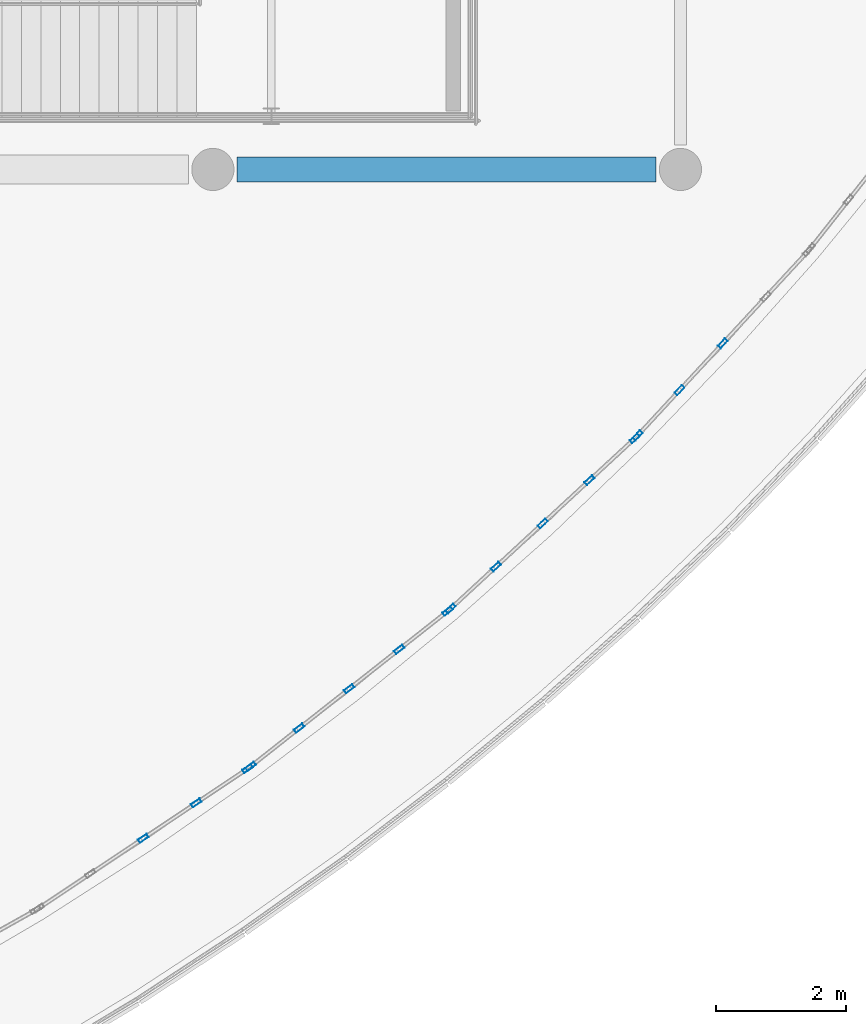
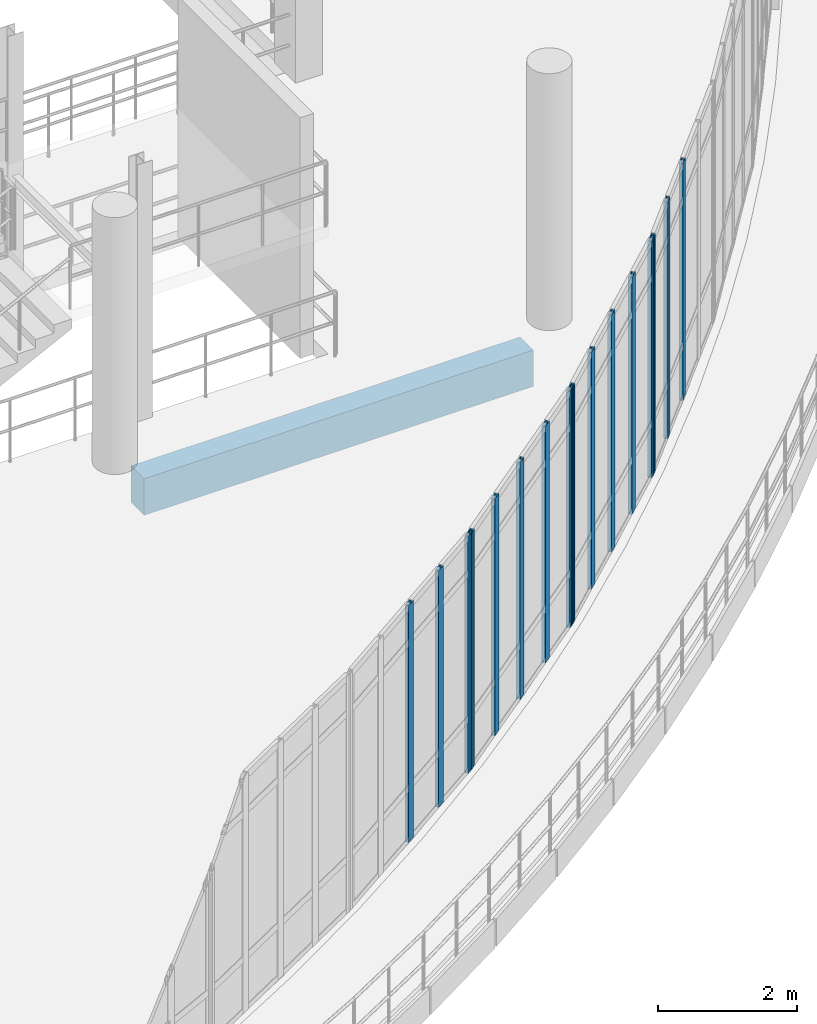
# One storey, part 31 of 134: 16 members, 1 beam, 4 elements without a shape of their own.
"""IFC4 building model written with IfcOpenShell, lengths in metres."""

from ifc_helpers import new_model, si_unit, direction, frame, origin, origin_2d, place, context, subcontext, project, spatial, rectangle, hollow_rectangle, extrude, material, material_profile, profile_set, type_object, element, aggregate, save


model = new_model("IFC4")

# Units and contexts
model_context = context("Model", 3, precision=1e-05, world=origin(), true_north=direction((0.0, 1.0)))
body_context = subcontext(model_context, "Body", "Model", "MODEL_VIEW")
ifc_project = project(units=[si_unit("LENGTHUNIT", "METRE"), si_unit("AREAUNIT", "SQUARE_METRE"), si_unit("VOLUMEUNIT", "CUBIC_METRE"), si_unit("PLANEANGLEUNIT", "RADIAN"), si_unit("MASSUNIT", "GRAM", prefix="KILO")], contexts=[model_context])

# Site, building, storey
site_placement = place(None, origin())
site = spatial("IfcSite", under=ifc_project, at=site_placement, CompositionType="ELEMENT")
building_placement = place(site_placement, origin())
building = spatial("IfcBuilding", under=site, at=building_placement, Name="Kalluvel Institute of Natural Sciences", CompositionType="ELEMENT")
storey_placement = place(building_placement, frame((0.0, 0.0, 5.39990234375)))
storey = spatial("IfcBuildingStorey", under=building, at=storey_placement, Name="L01", CompositionType="ELEMENT", Elevation=5.39990234375)

# Beam
ifc_material_1 = material(Name="Concrete M40", Category="concrete")
ifc_material_profile_1 = material_profile(ifc_material_1, rectangle(XDim=0.3798828125, YDim=0.639892578125, at=origin_2d()), Name="RCB 380x640")
ifc_profile_set_1 = profile_set([ifc_material_profile_1], Name="Concrete M40")
beam_type = type_object("IfcBeamType", Name="BM-RC380x640", PredefinedType="BEAM", material=ifc_profile_set_1)
beam_placement = place(storey_placement, frame((64.77490234375, 71.60009765625, -0.639892578125), z_axis=(1.0, 0.0, 0.0), x_axis=(0.0, 1.0, 0.0)))
element("IfcBeam", 1, at=beam_placement, inside=storey, type_object=beam_type, Name="L01 girder GIR-L01-EW-X644-Y716", PredefinedType="BEAM", context=body_context, shape_type="SweptSolid", body=[
    extrude(rectangle(XDim=0.3798828125, YDim=0.639892578125, at=origin_2d()), origin(), (0.0, 0.0, 1.0), 6.4501953125),
])

# Curtain wall, members
ifc_material_2 = material(Name="Aluminium AW-6063 T6", Category="aluminium")
curtain_wall_type = type_object("IfcCurtainWallType", Name="CW-ATR-ARC", PredefinedType="USERDEFINED", material=ifc_material_2)
curtain_wall_1_placement = place(storey_placement, origin())
curtain_wall_1 = element("IfcCurtainWall", 2, at=curtain_wall_1_placement, inside=storey, type_object=curtain_wall_type, Name="L01 Gothic lancet curtain wall CWA-L01-X617-Y602", ObjectType="UNITISED LANCET FACADE", PredefinedType="USERDEFINED")
ifc_material_profile_2 = material_profile(ifc_material_2, hollow_rectangle(XDim=0.06005859375, YDim=0.159912109375, WallThickness=0.00390625, at=origin_2d()), Name="CWM 60x160")
ifc_profile_set_2 = profile_set([ifc_material_profile_2], Name="Aluminium AW-6063 T6")
member_type = type_object("IfcMemberType", Name="CWM-60x160", PredefinedType="MULLION", material=ifc_profile_set_2)
member_1_placement = place(storey_placement, frame((63.329345703125, 61.300048828125, 0.0), z_axis=(0.0, 0.0, 1.0), x_axis=(-0.555570699054, 0.831469300908, 0.0)))
member_1 = element("IfcMember", 3, at=member_1_placement, type_object=member_type, Name="CW-05 mullion 3", PredefinedType="MULLION", context=body_context, shape_type="SweptSolid", body=[
    extrude(hollow_rectangle(XDim=0.06005859375, YDim=0.159912109375, WallThickness=0.00390625, at=origin_2d()), origin(), (0.0, 0.0, 1.0), 4.150146484375),
])
member_2_placement = place(storey_placement, frame((64.14453125, 61.844970703125, 0.0), z_axis=(0.0, 0.0, 1.0), x_axis=(-0.555570699054, 0.831469300908, 0.0)))
member_2 = element("IfcMember", 4, at=member_2_placement, type_object=member_type, Name="CW-05 mullion 4", PredefinedType="MULLION", context=body_context, shape_type="SweptSolid", body=[
    extrude(hollow_rectangle(XDim=0.06005859375, YDim=0.159912109375, WallThickness=0.00390625, at=origin_2d()), origin(), (0.0, 0.0, 1.0), 4.150146484375),
])
member_3_placement = place(storey_placement, frame((64.93505859375, 62.373046875, 0.0), z_axis=(0.0, 0.0, 1.0), x_axis=(-0.555570699054, 0.831469300908, 0.0)))
member_3 = element("IfcMember", 5, at=member_3_placement, type_object=member_type, Name="CW-05 mullion 5", PredefinedType="MULLION", context=body_context, shape_type="SweptSolid", body=[
    extrude(hollow_rectangle(XDim=0.06005859375, YDim=0.159912109375, WallThickness=0.00390625, at=origin_2d()), origin(), (0.0, 0.0, 1.0), 4.150146484375),
])
aggregate(curtain_wall_1, [member_1, member_2, member_3])

curtain_wall_2_placement = place(storey_placement, origin())
curtain_wall_2 = element("IfcCurtainWall", 6, at=curtain_wall_2_placement, inside=storey, type_object=curtain_wall_type, Name="L01 Gothic lancet curtain wall CWA-L01-X650-Y624", ObjectType="UNITISED LANCET FACADE", PredefinedType="USERDEFINED")
member_4_placement = place(storey_placement, frame((64.9833984375, 62.408203125, 0.0), z_axis=(0.0, 0.0, 1.0), x_axis=(-0.619097688866, 0.785313982838, 0.0)))
member_4 = element("IfcMember", 7, at=member_4_placement, type_object=member_type, Name="CW-05 mullion 1", PredefinedType="MULLION", context=body_context, shape_type="SweptSolid", body=[
    extrude(hollow_rectangle(XDim=0.06005859375, YDim=0.159912109375, WallThickness=0.00390625, at=origin_2d()), origin(), (0.0, 0.0, 1.0), 4.150146484375),
])
member_5_placement = place(storey_placement, frame((65.72998046875, 62.99658203125, 0.0), z_axis=(0.0, 0.0, 1.0), x_axis=(-0.619097688866, 0.785313982838, 0.0)))
member_5 = element("IfcMember", 8, at=member_5_placement, type_object=member_type, Name="CW-05 mullion 2", PredefinedType="MULLION", context=body_context, shape_type="SweptSolid", body=[
    extrude(hollow_rectangle(XDim=0.06005859375, YDim=0.159912109375, WallThickness=0.00390625, at=origin_2d()), origin(), (0.0, 0.0, 1.0), 4.150146484375),
])
member_6_placement = place(storey_placement, frame((66.5, 63.603759765625, 0.0), z_axis=(0.0, 0.0, 1.0), x_axis=(-0.619097688866, 0.785313982838, 0.0)))
member_6 = element("IfcMember", 9, at=member_6_placement, type_object=member_type, Name="CW-05 mullion 3", PredefinedType="MULLION", context=body_context, shape_type="SweptSolid", body=[
    extrude(hollow_rectangle(XDim=0.06005859375, YDim=0.159912109375, WallThickness=0.00390625, at=origin_2d()), origin(), (0.0, 0.0, 1.0), 4.150146484375),
])
member_7_placement = place(storey_placement, frame((67.27001953125, 64.210693359375, 0.0), z_axis=(0.0, 0.0, 1.0), x_axis=(-0.619097688866, 0.785313982838, 0.0)))
member_7 = element("IfcMember", 10, at=member_7_placement, type_object=member_type, Name="CW-05 mullion 4", PredefinedType="MULLION", context=body_context, shape_type="SweptSolid", body=[
    extrude(hollow_rectangle(XDim=0.06005859375, YDim=0.159912109375, WallThickness=0.00390625, at=origin_2d()), origin(), (0.0, 0.0, 1.0), 4.150146484375),
])
member_8_placement = place(storey_placement, frame((68.016357421875, 64.799072265625, 0.0), z_axis=(0.0, 0.0, 1.0), x_axis=(-0.619097688866, 0.785313982838, 0.0)))
member_8 = element("IfcMember", 11, at=member_8_placement, type_object=member_type, Name="CW-05 mullion 5", PredefinedType="MULLION", context=body_context, shape_type="SweptSolid", body=[
    extrude(hollow_rectangle(XDim=0.06005859375, YDim=0.159912109375, WallThickness=0.00390625, at=origin_2d()), origin(), (0.0, 0.0, 1.0), 4.150146484375),
])
aggregate(curtain_wall_2, [member_4, member_5, member_6, member_7, member_8])

curtain_wall_3_placement = place(storey_placement, origin())
curtain_wall_3 = element("IfcCurtainWall", 12, at=curtain_wall_3_placement, inside=storey, type_object=curtain_wall_type, Name="L01 Gothic lancet curtain wall CWA-L01-X680-Y648", ObjectType="UNITISED LANCET FACADE", PredefinedType="USERDEFINED")
member_9_placement = place(storey_placement, frame((68.06201171875, 64.838134765625, 0.0), z_axis=(0.0, 0.0, 1.0), x_axis=(-0.678795651006, 0.734327218735, 0.0)))
member_9 = element("IfcMember", 13, at=member_9_placement, type_object=member_type, Name="CW-05 mullion 1", PredefinedType="MULLION", context=body_context, shape_type="SweptSolid", body=[
    extrude(hollow_rectangle(XDim=0.06005859375, YDim=0.159912109375, WallThickness=0.00390625, at=origin_2d()), origin(), (0.0, 0.0, 1.0), 4.150146484375),
])
member_10_placement = place(storey_placement, frame((68.760009765625, 65.483154296875, 0.0), z_axis=(0.0, 0.0, 1.0), x_axis=(-0.678795651006, 0.734327218735, 0.0)))
member_10 = element("IfcMember", 14, at=member_10_placement, type_object=member_type, Name="CW-05 mullion 2", PredefinedType="MULLION", context=body_context, shape_type="SweptSolid", body=[
    extrude(hollow_rectangle(XDim=0.06005859375, YDim=0.159912109375, WallThickness=0.00390625, at=origin_2d()), origin(), (0.0, 0.0, 1.0), 4.150146484375),
])
member_11_placement = place(storey_placement, frame((69.47998046875, 66.14892578125, 0.0), z_axis=(0.0, 0.0, 1.0), x_axis=(-0.678795651006, 0.734327218735, 0.0)))
member_11 = element("IfcMember", 15, at=member_11_placement, type_object=member_type, Name="CW-05 mullion 3", PredefinedType="MULLION", context=body_context, shape_type="SweptSolid", body=[
    extrude(hollow_rectangle(XDim=0.06005859375, YDim=0.159912109375, WallThickness=0.00390625, at=origin_2d()), origin(), (0.0, 0.0, 1.0), 4.150146484375),
])
member_12_placement = place(storey_placement, frame((70.199951171875, 66.814453125, 0.0), z_axis=(0.0, 0.0, 1.0), x_axis=(-0.678795651006, 0.734327218735, 0.0)))
member_12 = element("IfcMember", 16, at=member_12_placement, type_object=member_type, Name="CW-05 mullion 4", PredefinedType="MULLION", context=body_context, shape_type="SweptSolid", body=[
    extrude(hollow_rectangle(XDim=0.06005859375, YDim=0.159912109375, WallThickness=0.00390625, at=origin_2d()), origin(), (0.0, 0.0, 1.0), 4.150146484375),
])
member_13_placement = place(storey_placement, frame((70.89794921875, 67.459716796875, 0.0), z_axis=(0.0, 0.0, 1.0), x_axis=(-0.678795651006, 0.734327218735, 0.0)))
member_13 = element("IfcMember", 17, at=member_13_placement, type_object=member_type, Name="CW-05 mullion 5", PredefinedType="MULLION", context=body_context, shape_type="SweptSolid", body=[
    extrude(hollow_rectangle(XDim=0.06005859375, YDim=0.159912109375, WallThickness=0.00390625, at=origin_2d()), origin(), (0.0, 0.0, 1.0), 4.150146484375),
])
aggregate(curtain_wall_3, [member_9, member_10, member_11, member_12, member_13])

curtain_wall_4_placement = place(storey_placement, origin())
curtain_wall_4 = element("IfcCurtainWall", 18, at=curtain_wall_4_placement, inside=storey, type_object=curtain_wall_type, Name="L01 Gothic lancet curtain wall CWA-L01-X709-Y675", ObjectType="UNITISED LANCET FACADE", PredefinedType="USERDEFINED")
member_14_placement = place(storey_placement, frame((70.9404296875, 67.501953125, 0.0), z_axis=(0.0, 0.0, 1.0), x_axis=(-0.734327218735, 0.678795651006, 0.0)))
member_14 = element("IfcMember", 19, at=member_14_placement, type_object=member_type, Name="CW-05 mullion 1", PredefinedType="MULLION", context=body_context, shape_type="SweptSolid", body=[
    extrude(hollow_rectangle(XDim=0.06005859375, YDim=0.159912109375, WallThickness=0.00390625, at=origin_2d()), origin(), (0.0, 0.0, 1.0), 4.150146484375),
])
member_15_placement = place(storey_placement, frame((71.585693359375, 68.199951171875, 0.0), z_axis=(0.0, 0.0, 1.0), x_axis=(-0.734327218735, 0.678795651006, 0.0)))
member_15 = element("IfcMember", 20, at=member_15_placement, type_object=member_type, Name="CW-05 mullion 2", PredefinedType="MULLION", context=body_context, shape_type="SweptSolid", body=[
    extrude(hollow_rectangle(XDim=0.06005859375, YDim=0.159912109375, WallThickness=0.00390625, at=origin_2d()), origin(), (0.0, 0.0, 1.0), 4.150146484375),
])
member_16_placement = place(storey_placement, frame((72.251220703125, 68.920166015625, 0.0), z_axis=(0.0, 0.0, 1.0), x_axis=(-0.734327218735, 0.678795651006, 0.0)))
member_16 = element("IfcMember", 21, at=member_16_placement, type_object=member_type, Name="CW-05 mullion 3", PredefinedType="MULLION", context=body_context, shape_type="SweptSolid", body=[
    extrude(hollow_rectangle(XDim=0.06005859375, YDim=0.159912109375, WallThickness=0.00390625, at=origin_2d()), origin(), (0.0, 0.0, 1.0), 4.150146484375),
])
aggregate(curtain_wall_4, [member_14, member_15, member_16])

save(model, "model.ifc")
